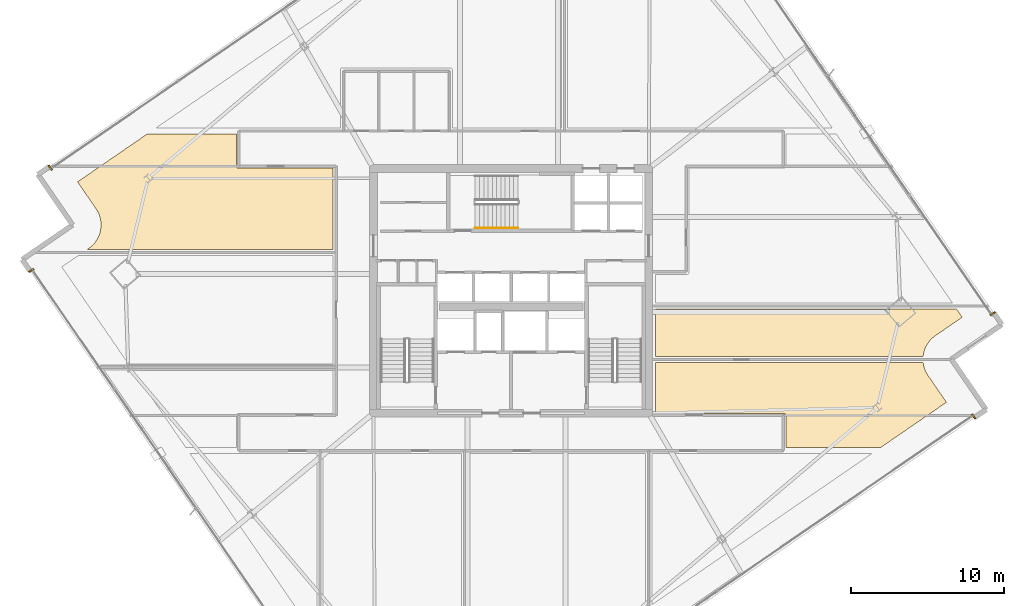
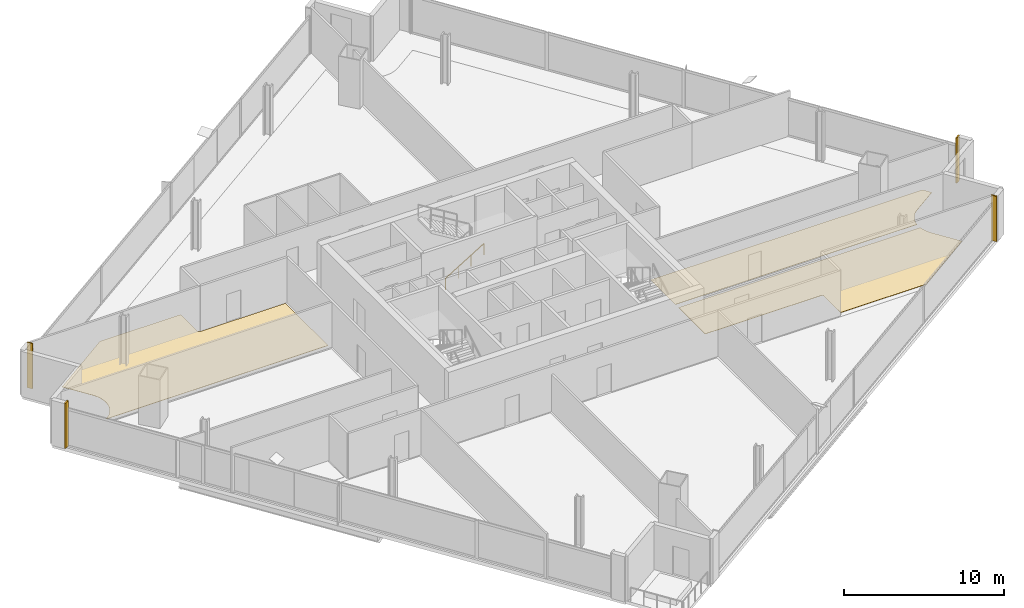
# One storey, part 27 of 29: 7 coverings, 1 railing.
"""IFC4 building model written with IfcOpenShell, lengths in metres."""

from ifc_helpers import new_model, si_unit, direction, frame, origin, origin_2d, place, context, subcontext, project, spatial, polyline, rectangle, outline, extrude, source, transform, mapped, material, layer, layer_set, type_object, element, save


model = new_model("IFC4")

# Units and contexts
model_context = context("Model", 3, precision=1e-05, world=origin(), true_north=direction((0.0, 1.0)))
body_context = subcontext(model_context, "Body", "Model", "MODEL_VIEW")
ifc_project = project(units=[si_unit("LENGTHUNIT", "METRE"), si_unit("AREAUNIT", "SQUARE_METRE"), si_unit("VOLUMEUNIT", "CUBIC_METRE"), si_unit("PLANEANGLEUNIT", "RADIAN"), si_unit("MASSUNIT", "GRAM", prefix="KILO")], contexts=[model_context])

# Site, building, storey
site_placement = place(None, origin())
site = spatial("IfcSite", under=ifc_project, at=site_placement, CompositionType="ELEMENT")
building_placement = place(site_placement, origin())
building = spatial("IfcBuilding", under=site, at=building_placement, Name="Haldenkirk Collegiate Tower", CompositionType="ELEMENT")
storey_placement = place(building_placement, frame((0.0, 0.0, 144.449951171875)))
storey = spatial("IfcBuildingStorey", under=building, at=storey_placement, Name="L35", CompositionType="ELEMENT", Elevation=144.449951171875)

# Coverings
ifc_material_1 = material(Name="Polished collegiate terrazzo", Category="concrete")
ifc_layer_1 = layer(ifc_material_1, 0.02490234375)
ifc_layer_set_1 = layer_set([ifc_layer_1], Name="Polished collegiate terrazzo")
covering_type_1 = type_object("IfcCoveringType", Name="COV-FLOOR-TERRAZZO", PredefinedType="FLOORING", material=ifc_layer_set_1)
covering_1_placement = place(storey_placement, origin())
element("IfcCovering", 1, at=covering_1_placement, inside=storey, type_object=covering_type_1, Name="L35 academic room finish 10", PredefinedType="FLOORING", context=body_context, shape_type="SweptSolid", body=[
    extrude(outline(polyline([(62.94384765625, 21.300048828125), (62.96923828125, 21.142333984375), (62.9716796875, 21.130859375), (63.015625, 20.964599609375), (63.019287109375, 20.95361328125), (63.079345703125, 20.79248046875), (63.083984375, 20.78173828125), (63.159423828125, 20.62744140625), (63.1650390625, 20.6171875), (63.25537109375, 20.47119140625), (63.258544921875, 20.466064453125), (64.46484375, 18.710693359375), (60.156982421875, 15.75), (53.969970703125, 15.75), (53.969970703125, 17.85009765625), (53.969482421875, 17.86181640625), (53.9677734375, 17.873291015625), (53.96484375, 17.884765625), (53.9609375, 17.89599609375), (53.955810546875, 17.906494140625), (53.94970703125, 17.916748046875), (53.94287109375, 17.926025390625), (53.934814453125, 17.934814453125), (53.926025390625, 17.94287109375), (53.916748046875, 17.94970703125), (53.906494140625, 17.955810546875), (53.89599609375, 17.9609375), (53.884765625, 17.96484375), (53.873291015625, 17.9677734375), (53.86181640625, 17.969482421875), (53.85009765625, 17.969970703125), (45.449951171875, 17.969970703125), (45.449951171875, 21.300048828125), (62.94384765625, 21.300048828125)])), origin(), (0.0, 0.0, 1.0), 0.025146484375),
])
ifc_material_2 = material(Name="Engineered collegiate oak acoustic flooring", Category="wood")
ifc_layer_2 = layer(ifc_material_2, 0.02197265625)
ifc_layer_set_2 = layer_set([ifc_layer_2], Name="Engineered collegiate oak acoustic flooring")
covering_type_2 = type_object("IfcCoveringType", Name="COV-FLOOR-TIMBER", PredefinedType="FLOORING", material=ifc_layer_set_2)
covering_2_placement = place(storey_placement, origin())
element("IfcCovering", 2, at=covering_2_placement, inside=storey, type_object=covering_type_2, Name="L35 academic room finish 09", PredefinedType="FLOORING", context=body_context, shape_type="SweptSolid", body=[
    extrude(outline(polyline([(8.372802734375, 28.768798828125), (8.377685546875, 28.772216796875), (8.51416015625, 28.87646484375), (8.523193359375, 28.884033203125), (8.64892578125, 29.0009765625), (8.656982421875, 29.00927734375), (8.770751953125, 29.137939453125), (8.7783203125, 29.147216796875), (8.878662109375, 29.28662109375), (8.885009765625, 29.29638671875), (8.971435546875, 29.44482421875), (8.976806640625, 29.455322265625), (9.048095703125, 29.611572265625), (9.052490234375, 29.62255859375), (9.1083984375, 29.784912109375), (9.111572265625, 29.796142578125), (9.151123046875, 29.96337890625), (9.1533203125, 29.974853515625), (9.17626953125, 30.14501953125), (9.17724609375, 30.156982421875), (9.18359375, 30.32861328125), (9.183349609375, 30.34033203125), (9.172607421875, 30.51171875), (9.17138671875, 30.523193359375), (9.14404296875, 30.69287109375), (9.1416015625, 30.704345703125), (9.09765625, 30.87060546875), (9.093994140625, 30.881591796875), (9.033935546875, 31.04248046875), (9.029296875, 31.053466796875), (8.953857421875, 31.207763671875), (8.9482421875, 31.218017578125), (8.85791015625, 31.364013671875), (8.854736328125, 31.369140625), (7.6484375, 33.12451171875), (12.196044921875, 36.25), (18.030029296875, 36.25), (18.030029296875, 34.14990234375), (18.030517578125, 34.13818359375), (18.0322265625, 34.126708984375), (18.03515625, 34.115234375), (18.0390625, 34.10400390625), (18.044189453125, 34.093505859375), (18.05029296875, 34.083251953125), (18.05712890625, 34.073974609375), (18.065185546875, 34.065185546875), (18.073974609375, 34.05712890625), (18.083251953125, 34.05029296875), (18.093505859375, 34.044189453125), (18.10400390625, 34.0390625), (18.115234375, 34.03515625), (18.126708984375, 34.0322265625), (18.13818359375, 34.030517578125), (18.14990234375, 34.030029296875), (24.35009765625, 34.030029296875), (24.35009765625, 28.699951171875), (8.272705078125, 28.699951171875), (8.372802734375, 28.768798828125)])), origin(), (0.0, 0.0, 1.0), 0.02197265625),
])
covering_3_placement = place(storey_placement, origin())
element("IfcCovering", 3, at=covering_3_placement, inside=storey, type_object=covering_type_2, Name="L35 academic room finish 11", PredefinedType="FLOORING", context=body_context, shape_type="SweptSolid", body=[
    extrude(outline(polyline([(62.938232421875, 21.699951171875), (45.449951171875, 21.699951171875), (45.449951171875, 24.800048828125), (65.133544921875, 24.800048828125), (65.495849609375, 24.272705078125), (63.740478515625, 23.06640625), (63.735595703125, 23.06298828125), (63.59912109375, 22.958740234375), (63.590087890625, 22.951171875), (63.46435546875, 22.834228515625), (63.456298828125, 22.825927734375), (63.342529296875, 22.697265625), (63.335205078125, 22.68798828125), (63.234619140625, 22.548583984375), (63.228271484375, 22.538818359375), (63.141845703125, 22.390380859375), (63.136474609375, 22.3798828125), (63.065185546875, 22.2236328125), (63.060791015625, 22.212646484375), (63.0048828125, 22.05029296875), (63.001708984375, 22.0390625), (62.962158203125, 21.871826171875), (62.9599609375, 21.8603515625), (62.938232421875, 21.699951171875)])), origin(), (0.0, 0.0, 1.0), 0.02197265625),
])

# Railing
ifc_material_3 = material(Name="Painted architectural tubular steel", Category="steel")
railing_type = type_object("IfcRailingType", Name="RLG-STAIR-HANDRAIL-900", PredefinedType="HANDRAIL", material=ifc_material_3)
railing_placement = place(storey_placement, frame((33.64990234375, 30.10009765625, 0.17041015625)))
element("IfcRailing", 4, at=railing_placement, inside=storey, type_object=railing_type, Name="L35 ST-3 stair handrail 1", PredefinedType="HANDRAIL", context=body_context, shape_type="SweptSolid", body=[
    extrude(rectangle(XDim=0.048095703125, YDim=0.048095703125, at=origin_2d()), frame((0.0, 0.0, 0.8759765625), z_axis=(0.854169791009, 0.0, 0.51999420009), x_axis=(0.0, 1.0, 0.0)), (0.0, 0.0, 1.0), 3.278076171875),
    extrude(rectangle(XDim=0.0419921875, YDim=0.0419921875, at=origin_2d()), origin(), (0.0, 0.0, 1.0), 0.851806640625),
    extrude(rectangle(XDim=0.0419921875, YDim=0.0419921875, at=origin_2d()), frame((0.933349609375, 0.0, 0.568115234375)), (0.0, 0.0, 1.0), 0.851806640625),
    extrude(rectangle(XDim=0.0419921875, YDim=0.0419921875, at=origin_2d()), frame((1.86669921875, 0.0, 1.136474609375)), (0.0, 0.0, 1.0), 0.851806640625),
    extrude(rectangle(XDim=0.0419921875, YDim=0.0419921875, at=origin_2d()), frame((2.800048828125, 0.0, 1.70458984375)), (0.0, 0.0, 1.0), 0.851806640625),
])

# Coverings
ifc_material_4 = material(Name="Anodised architectural bronze aluminium", Category="aluminium")
ifc_layer_3 = layer(ifc_material_4, 0.06005859375)
ifc_layer_set_3 = layer_set([ifc_layer_3], Name="Anodised architectural bronze aluminium")
covering_type_3 = type_object("IfcCoveringType", Name="COV-CLAD-BRONZE-60", PredefinedType="CLADDING", material=ifc_layer_set_3)
shared_shape = source(origin(), body_context, "Body", "SweptSolid", [
    extrude(rectangle(XDim=0.10009765625, YDim=0.3798828125, at=origin_2d()), origin(), (0.0, 0.0, 1.0), 3.4599609375),
])
for number, where, z_axis, x_axis, name in (
    (5, (66.247802734375, 17.776123046875, 0.0), (0.0, 0.0, 1.0), (-0.824126188622, -0.566406236925, 0.0), "L35 recessed curtain-wall bronze jamb closure SJL"),
    (6, (67.4951171875, 24.50634765625, 0.0), (0.0, 0.0, 1.0), (0.566406236925, -0.824126188622, 0.0), "L35 recessed curtain-wall bronze jamb closure EJR"),
    (7, (5.865478515625, 34.05908203125, 0.0), (0.0, 0.0, 1.0), (0.824126188622, 0.566406236925, 0.0), "L35 recessed curtain-wall bronze jamb closure NJL"),
    (8, (4.6181640625, 27.328857421875, 0.0), (0.0, 0.0, 1.0), (-0.566406236925, 0.824126188622, 0.0), "L35 recessed curtain-wall bronze jamb closure WJR"),
):
    element("IfcCovering", number, at=place(storey_placement, frame(where, z_axis=z_axis, x_axis=x_axis)), inside=storey, type_object=covering_type_3, Name=name, PredefinedType="CLADDING", context=body_context, shape_type="MappedRepresentation", body=[
        mapped(shared_shape, transform((0.0, 0.0, 0.0), x_axis=(1.0, 0.0, 0.0), y_axis=(0.0, 1.0, 0.0), z_axis=(0.0, 0.0, 1.0), scale=1.0)),
    ])

save(model, "model.ifc")
